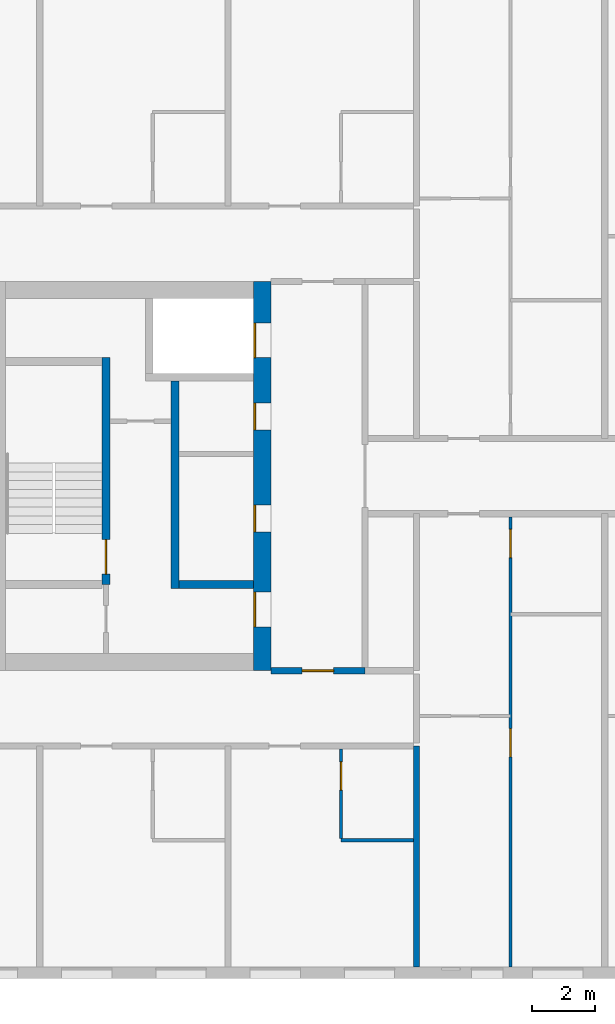
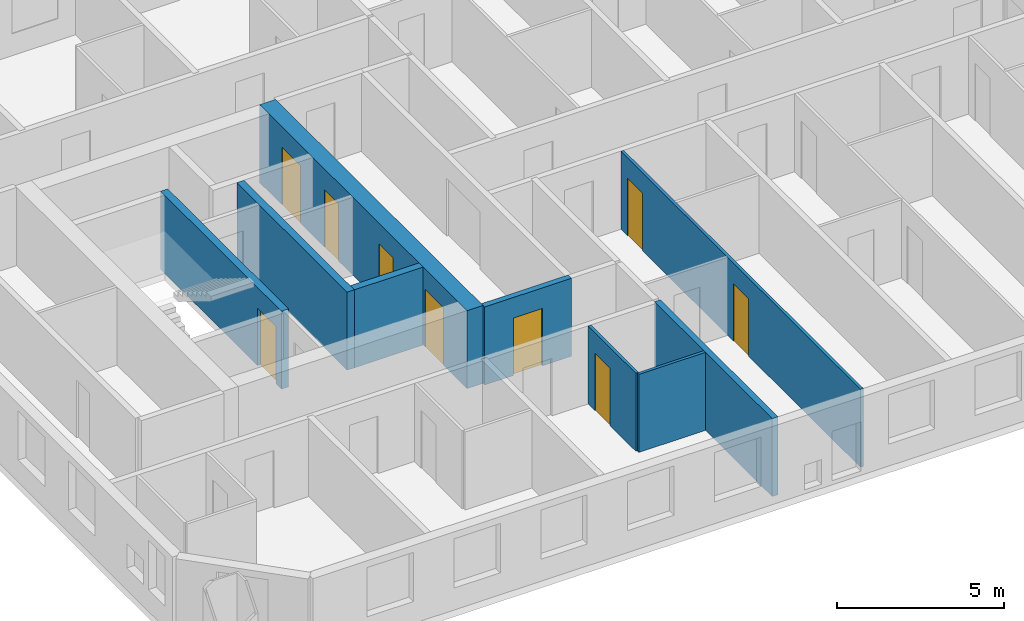
# One storey, part 3 of 16: 9 doors, 9 walls, 9 openings.
"""IFC4 building model written with IfcOpenShell, lengths in metres."""

from ifc_helpers import new_model, si_unit, direction, frame, frame_2d, origin, place, context, subcontext, project, spatial, rectangle, extrude, material, layer, layer_set, type_object, element, fill, save


model = new_model("IFC4")

# Units and contexts
model_context = context("Model", 3, precision=1e-05, world=origin(), true_north=direction((0.0, 1.0)))
body_context = subcontext(model_context, "Body", "Model", "MODEL_VIEW")
ifc_project = project(units=[si_unit("LENGTHUNIT", "METRE"), si_unit("AREAUNIT", "SQUARE_METRE"), si_unit("VOLUMEUNIT", "CUBIC_METRE"), si_unit("PLANEANGLEUNIT", "RADIAN"), si_unit("MASSUNIT", "GRAM", prefix="KILO")], contexts=[model_context])

# Site, building, storey
site_placement = place(None, origin())
site = spatial("IfcSite", under=ifc_project, at=site_placement, CompositionType="ELEMENT")
building_placement = place(site_placement, origin())
building = spatial("IfcBuilding", under=site, at=building_placement, Name="Tuart Gate Housing", CompositionType="ELEMENT")
storey_placement = place(building_placement, frame((0.0, 0.0, 136.10009765625)))
storey = spatial("IfcBuildingStorey", under=building, at=storey_placement, Name="L38", CompositionType="ELEMENT", Elevation=136.10009765625)

# Walls
ifc_material_1 = material(Name="Concrete C50", Category="concrete")
ifc_layer_1 = layer(ifc_material_1, 0.25)
ifc_layer_set_1 = layer_set([ifc_layer_1], Name="Core wall 250 C50")
wall_type_1 = type_object("IfcWallType", Name="Core wall 250 C50", PredefinedType="SHEAR", material=ifc_layer_set_1)
wall_1_placement = place(storey_placement, frame((40.81005859375, 66.550048828125, 0.0), z_axis=(0.0, 0.0, 1.0), x_axis=(-1.0, 0.0, 0.0)))
element("IfcWall", 1, at=wall_1_placement, inside=storey, type_object=wall_type_1, Name="Core wall AK.5", PredefinedType="SHEAR", context=body_context, shape_type="SweptSolid", body=[
    extrude(rectangle(XDim=2.375, YDim=0.25, at=frame_2d((1.1875, 0.0))), origin(), (0.0, 0.0, 1.0), 2.849853515625),
])
wall_2_placement = place(storey_placement, frame((38.31005859375, 73.02490234375, 0.0), z_axis=(0.0, 0.0, 1.0), x_axis=(0.0, -1.0, 0.0)))
element("IfcWall", 2, at=wall_2_placement, inside=storey, type_object=wall_type_1, Name="Core wall AK.7", PredefinedType="SHEAR", context=body_context, shape_type="SweptSolid", body=[
    extrude(rectangle(XDim=6.599853515625, YDim=0.25, at=frame_2d((3.2998046875, 0.0))), origin(), (0.0, 0.0, 1.0), 2.849853515625),
])

# Wall, opening, door
wall_3_placement = place(storey_placement, frame((36.110107421875, 73.77490234375, 0.0), z_axis=(0.0, 0.0, 1.0), x_axis=(0.0, -1.0, 0.0)))
wall_3 = element("IfcWall", 3, at=wall_3_placement, inside=storey, type_object=wall_type_1, Name="Core wall AK.9", PredefinedType="SHEAR", context=body_context, shape_type="SweptSolid", body=[
    extrude(rectangle(XDim=7.224853515625, YDim=0.25, at=frame_2d((3.6123046875, 0.0))), origin(), (0.0, 0.0, 1.0), 2.849853515625),
])
opening_1_placement = place(wall_3_placement, frame((5.800048828125, 0.0, 0.0)))
opening_1 = element("IfcOpeningElement", 4, at=opening_1_placement, cuts=wall_3, Name="Opening D1428", PredefinedType="OPENING", context=body_context, shape_type="SweptSolid", body=[
    extrude(rectangle(XDim=1.10009765625, YDim=2.10009765625, at=frame_2d((0.550048828125, 1.050048828125))), frame((0.0, 0.135009765625, 0.0), z_axis=(0.0, -1.0, 0.0), x_axis=(1.0, 0.0, 0.0)), (0.0, 0.0, 1.0), 0.27001953125),
])
ifc_material_2 = material(Name="Steel fire door", Category="steel")
door_type_1 = type_object("IfcDoorType", Name="Stair door 1100 x 2100", OperationType="SINGLE_SWING_LEFT", PredefinedType="DOOR", material=ifc_material_2)
door_1_placement = place(opening_1_placement, frame((1.10009765625, 0.0, 0.0), z_axis=(0.0, 0.0, 1.0), x_axis=(-1.0, 0.0, 0.0)))
door_1 = element("IfcDoor", 5, at=door_1_placement, inside=storey, type_object=door_type_1, Name="Stair door AK.SD", OperationType="SINGLE_SWING_LEFT", OverallHeight=2.10009765625, OverallWidth=1.10009765625, PredefinedType="DOOR", context=body_context, shape_type="SweptSolid", body=[
    extrude(rectangle(XDim=1.10009765625, YDim=2.10009765625, at=frame_2d((0.550048828125, 1.050048828125))), frame((0.0, 0.025146484375, 0.0), z_axis=(0.0, -1.0, 0.0), x_axis=(1.0, 0.0, 0.0)), (0.0, 0.0, 1.0), 0.050048828125),
])
fill(opening_1, door_1)

# Wall, openings, doors
ifc_material_3 = material(Name="Concrete C50", Category="concrete")
ifc_layer_2 = layer(ifc_material_3, 0.550048828125)
ifc_layer_set_2 = layer_set([ifc_layer_2], Name="Core wall 550 C50")
wall_type_2 = type_object("IfcWallType", Name="Core wall 550 C50", PredefinedType="SHEAR", material=ifc_layer_set_2)
wall_4_placement = place(storey_placement, frame((41.0849609375, 76.199951171875, 0.0), z_axis=(0.0, 0.0, 1.0), x_axis=(0.0, -1.0, 0.0)))
wall_4 = element("IfcWall", 6, at=wall_4_placement, inside=storey, type_object=wall_type_2, Name="Core wall AK front", PredefinedType="SHEAR", context=body_context, shape_type="SweptSolid", body=[
    extrude(rectangle(XDim=12.39990234375, YDim=0.550048828125, at=frame_2d((6.199951171875, 0.0))), origin(), (0.0, 0.0, 1.0), 2.849853515625),
])
opening_2_placement = place(wall_4_placement, frame((1.324951171875, 0.0, 0.0)))
opening_2 = element("IfcOpeningElement", 7, at=opening_2_placement, cuts=wall_4, Name="Opening LD-FA2", PredefinedType="OPENING", context=body_context, shape_type="SweptSolid", body=[
    extrude(rectangle(XDim=1.10009765625, YDim=2.10009765625, at=frame_2d((0.550048828125, 1.050048828125))), frame((0.0, 0.284912109375, 0.0), z_axis=(0.0, -1.0, 0.0), x_axis=(1.0, 0.0, 0.0)), (0.0, 0.0, 1.0), 0.570068359375),
])
opening_3_placement = place(wall_4_placement, frame((3.875, 0.0, 0.0)))
opening_3 = element("IfcOpeningElement", 8, at=opening_3_placement, cuts=wall_4, Name="Opening D1432", PredefinedType="OPENING", context=body_context, shape_type="SweptSolid", body=[
    extrude(rectangle(XDim=0.85009765625, YDim=2.10009765625, at=frame_2d((0.425048828125, 1.050048828125))), frame((0.0, 0.284912109375, 0.0), z_axis=(0.0, -1.0, 0.0), x_axis=(1.0, 0.0, 0.0)), (0.0, 0.0, 1.0), 0.570068359375),
])
opening_4_placement = place(wall_4_placement, frame((7.125, 0.0, 0.0)))
opening_4 = element("IfcOpeningElement", 9, at=opening_4_placement, cuts=wall_4, Name="Opening D1433", PredefinedType="OPENING", context=body_context, shape_type="SweptSolid", body=[
    extrude(rectangle(XDim=0.85009765625, YDim=2.10009765625, at=frame_2d((0.425048828125, 1.050048828125))), frame((0.0, 0.284912109375, 0.0), z_axis=(0.0, -1.0, 0.0), x_axis=(1.0, 0.0, 0.0)), (0.0, 0.0, 1.0), 0.570068359375),
])
opening_5_placement = place(wall_4_placement, frame((9.89990234375, 0.0, 0.0)))
opening_5 = element("IfcOpeningElement", 10, at=opening_5_placement, cuts=wall_4, Name="Opening D1431", PredefinedType="OPENING", context=body_context, shape_type="SweptSolid", body=[
    extrude(rectangle(XDim=1.10009765625, YDim=2.10009765625, at=frame_2d((0.550048828125, 1.050048828125))), frame((0.0, 0.284912109375, 0.0), z_axis=(0.0, -1.0, 0.0), x_axis=(1.0, 0.0, 0.0)), (0.0, 0.0, 1.0), 0.570068359375),
])
ifc_material_4 = material(Name="Stainless steel", Category="steel")
door_type_2 = type_object("IfcDoorType", Name="Landing door 1100 x 2100", OperationType="DOUBLE_DOOR_SLIDING", PredefinedType="DOOR", material=ifc_material_4)
door_2_placement = place(opening_2_placement, origin())
door_2 = element("IfcDoor", 11, at=door_2_placement, inside=storey, type_object=door_type_2, Name="Lift landing door FA2", OperationType="DOUBLE_DOOR_SLIDING", OverallHeight=2.10009765625, OverallWidth=1.10009765625, PredefinedType="DOOR", context=body_context, shape_type="SweptSolid", body=[
    extrude(rectangle(XDim=1.10009765625, YDim=2.10009765625, at=frame_2d((0.550048828125, 1.050048828125))), frame((0.0, -0.2099609375, 0.0), z_axis=(0.0, -1.0, 0.0), x_axis=(1.0, 0.0, 0.0)), (0.0, 0.0, 1.0), 0.050048828125),
])
fill(opening_2, door_2)
ifc_material_5 = material(Name="Steel fire door", Category="steel")
door_type_3 = type_object("IfcDoorType", Name="Lobby door 1100 x 2100 RH", OperationType="SINGLE_SWING_RIGHT", PredefinedType="DOOR", material=ifc_material_5)
door_3_placement = place(opening_5_placement, frame((1.10009765625, 0.0, 0.0), z_axis=(0.0, 0.0, 1.0), x_axis=(-1.0, 0.0, 0.0)))
door_3 = element("IfcDoor", 12, at=door_3_placement, inside=storey, type_object=door_type_3, Name="Lobby entry door AK.EN", OperationType="SINGLE_SWING_RIGHT", OverallHeight=2.10009765625, OverallWidth=1.10009765625, PredefinedType="DOOR", context=body_context, shape_type="SweptSolid", body=[
    extrude(rectangle(XDim=1.10009765625, YDim=2.10009765625, at=frame_2d((0.550048828125, 1.050048828125))), frame((0.0, 0.260009765625, 0.0), z_axis=(0.0, -1.0, 0.0), x_axis=(1.0, 0.0, 0.0)), (0.0, 0.0, 1.0), 0.050048828125),
])
fill(opening_5, door_3)
ifc_material_6 = material(Name="Steel fire door", Category="steel")
door_type_4 = type_object("IfcDoorType", Name="Service door 850 x 2100 RH", OperationType="SINGLE_SWING_RIGHT", PredefinedType="DOOR", material=ifc_material_6)
door_4_placement = place(opening_3_placement, frame((0.85009765625, 0.0, 0.0), z_axis=(0.0, 0.0, 1.0), x_axis=(-1.0, 0.0, 0.0)))
door_4 = element("IfcDoor", 13, at=door_4_placement, inside=storey, type_object=door_type_4, Name="Service room door AK.FR1", OperationType="SINGLE_SWING_RIGHT", OverallHeight=2.10009765625, OverallWidth=0.85009765625, PredefinedType="DOOR", context=body_context, shape_type="SweptSolid", body=[
    extrude(rectangle(XDim=0.85009765625, YDim=2.10009765625, at=frame_2d((0.425048828125, 1.050048828125))), frame((0.0, 0.260009765625, 0.0), z_axis=(0.0, -1.0, 0.0), x_axis=(1.0, 0.0, 0.0)), (0.0, 0.0, 1.0), 0.050048828125),
])
fill(opening_3, door_4)
door_5_placement = place(opening_4_placement, frame((0.85009765625, 0.0, 0.0), z_axis=(0.0, 0.0, 1.0), x_axis=(-1.0, 0.0, 0.0)))
door_5 = element("IfcDoor", 14, at=door_5_placement, inside=storey, type_object=door_type_4, Name="Service room door AK.FR2", OperationType="SINGLE_SWING_RIGHT", OverallHeight=2.10009765625, OverallWidth=0.85009765625, PredefinedType="DOOR", context=body_context, shape_type="SweptSolid", body=[
    extrude(rectangle(XDim=0.85009765625, YDim=2.10009765625, at=frame_2d((0.425048828125, 1.050048828125))), frame((0.0, 0.260009765625, 0.0), z_axis=(0.0, -1.0, 0.0), x_axis=(1.0, 0.0, 0.0)), (0.0, 0.0, 1.0), 0.050048828125),
])
fill(opening_4, door_5)

# Wall, opening, door
ifc_material_7 = material(Name="Concrete masonry 15 MPa", Category="masonry")
ifc_layer_3 = layer(ifc_material_7, 0.199951171875)
ifc_layer_set_3 = layer_set([ifc_layer_3], Name="Enclosure wall masonry 200")
wall_type_3 = type_object("IfcWallType", Name="Enclosure wall masonry 200", PredefinedType="PARTITIONING", material=ifc_layer_set_3)
wall_5_placement = place(storey_placement, frame((41.360107421875, 63.800048828125, 0.0), z_axis=(0.0, 0.0, 1.0), x_axis=(1.0, 0.0, 0.0)))
wall_5 = element("IfcWall", 15, at=wall_5_placement, inside=storey, type_object=wall_type_3, Name="Enclosure wall masonry 200", PredefinedType="PARTITIONING", context=body_context, shape_type="SweptSolid", body=[
    extrude(rectangle(XDim=3.0, YDim=0.199951171875, at=frame_2d((1.5, 0.0))), origin(), (0.0, 0.0, 1.0), 2.849853515625),
])
opening_6_placement = place(wall_5_placement, frame((1.0, 0.0, 0.0)))
opening_6 = element("IfcOpeningElement", 16, at=opening_6_placement, cuts=wall_5, Name="Opening D1443", PredefinedType="OPENING", context=body_context, shape_type="SweptSolid", body=[
    extrude(rectangle(XDim=1.0, YDim=2.10009765625, at=frame_2d((0.5, 1.050048828125))), frame((0.0, 0.10986328125, 0.0), z_axis=(0.0, -1.0, 0.0), x_axis=(1.0, 0.0, 0.0)), (0.0, 0.0, 1.0), 0.219970703125),
])
ifc_material_8 = material(Name="Timber door leaf in steel frame", Category="steel")
door_type_5 = type_object("IfcDoorType", Name="Fire door 1000", OperationType="SINGLE_SWING_LEFT", PredefinedType="DOOR", material=ifc_material_8)
door_6_placement = place(opening_6_placement, frame((1.0, 0.0, 0.0), z_axis=(0.0, 0.0, 1.0), x_axis=(-1.0, 0.0, 0.0)))
door_6 = element("IfcDoor", 17, at=door_6_placement, inside=storey, type_object=door_type_5, Name="Fire door", OperationType="SINGLE_SWING_LEFT", OverallHeight=2.10009765625, OverallWidth=1.0, PredefinedType="DOOR", context=body_context, shape_type="SweptSolid", body=[
    extrude(rectangle(XDim=1.0, YDim=2.10009765625, at=frame_2d((0.5, 1.050048828125))), frame((0.0, 0.025146484375, 0.0), z_axis=(0.0, -1.0, 0.0), x_axis=(1.0, 0.0, 0.0)), (0.0, 0.0, 1.0), 0.050048828125),
])
fill(opening_6, door_6)

# Wall
ifc_material_9 = material(Name="Gypsum board on steel studs", Category="steel")
ifc_layer_4 = layer(ifc_material_9, 0.10009765625)
ifc_layer_set_4 = layer_set([ifc_layer_4], Name="Partition 100")
wall_type_4 = type_object("IfcWallType", Name="Partition 100", PredefinedType="PARTITIONING", material=ifc_layer_set_4)
wall_6_placement = place(storey_placement, frame((43.60009765625, 58.39990234375, 0.0), z_axis=(0.0, 0.0, 1.0), x_axis=(1.0, 0.0, 0.0)))
element("IfcWall", 18, at=wall_6_placement, inside=storey, type_object=wall_type_4, Name="Partition 100", PredefinedType="PARTITIONING", context=body_context, shape_type="SweptSolid", body=[
    extrude(rectangle(XDim=2.2998046875, YDim=0.10009765625, at=frame_2d((1.14990234375, 0.0))), origin(), (0.0, 0.0, 1.0), 2.849853515625),
])

# Wall, opening, door
wall_7_placement = place(storey_placement, frame((43.60009765625, 58.449951171875, 0.0), z_axis=(0.0, 0.0, 1.0), x_axis=(0.0, 1.0, 0.0)))
wall_7 = element("IfcWall", 19, at=wall_7_placement, inside=storey, type_object=wall_type_4, Name="Partition 100", PredefinedType="PARTITIONING", context=body_context, shape_type="SweptSolid", body=[
    extrude(rectangle(XDim=2.85009765625, YDim=0.10009765625, at=frame_2d((1.425048828125, 0.0))), origin(), (0.0, 0.0, 1.0), 2.849853515625),
])
opening_7_placement = place(wall_7_placement, frame((1.550048828125, 0.0, 0.0)))
opening_7 = element("IfcOpeningElement", 20, at=opening_7_placement, cuts=wall_7, Name="Opening D1460", PredefinedType="OPENING", context=body_context, shape_type="SweptSolid", body=[
    extrude(rectangle(XDim=0.89990234375, YDim=2.10009765625, at=frame_2d((0.449951171875, 1.050048828125))), frame((0.0, 0.06005859375, 0.0), z_axis=(0.0, -1.0, 0.0), x_axis=(1.0, 0.0, 0.0)), (0.0, 0.0, 1.0), 0.1201171875),
])
ifc_material_10 = material(Name="Timber door leaf in steel frame", Category="steel")
door_type_6 = type_object("IfcDoorType", Name="Bathroom door 900", OperationType="SINGLE_SWING_LEFT", PredefinedType="DOOR", material=ifc_material_10)
door_7_placement = place(opening_7_placement, frame((0.89990234375, 0.0, 0.0), z_axis=(0.0, 0.0, 1.0), x_axis=(-1.0, 0.0, 0.0)))
door_7 = element("IfcDoor", 21, at=door_7_placement, inside=storey, type_object=door_type_6, Name="Bathroom door", OperationType="SINGLE_SWING_LEFT", OverallHeight=2.10009765625, OverallWidth=0.89990234375, PredefinedType="DOOR", context=body_context, shape_type="SweptSolid", body=[
    extrude(rectangle(XDim=0.89990234375, YDim=2.10009765625, at=frame_2d((0.449951171875, 1.050048828125))), frame((0.0, 0.025146484375, 0.0), z_axis=(0.0, -1.0, 0.0), x_axis=(1.0, 0.0, 0.0)), (0.0, 0.0, 1.0), 0.050048828125),
])
fill(opening_7, door_7)

# Wall, openings, doors
wall_8_placement = place(storey_placement, frame((49.0, 54.360107421875, 0.0), z_axis=(0.0, 0.0, 1.0), x_axis=(0.0, 1.0, 0.0)))
wall_8 = element("IfcWall", 22, at=wall_8_placement, inside=storey, type_object=wall_type_4, Name="Partition 100", PredefinedType="PARTITIONING", context=body_context, shape_type="SweptSolid", body=[
    extrude(rectangle(XDim=14.33984375, YDim=0.10009765625, at=frame_2d((7.169921875, 0.0))), origin(), (0.0, 0.0, 1.0), 2.849853515625),
])
opening_8_placement = place(wall_8_placement, frame((6.699951171875, 0.0, 0.0)))
opening_8 = element("IfcOpeningElement", 23, at=opening_8_placement, cuts=wall_8, Name="Opening D1448", PredefinedType="OPENING", context=body_context, shape_type="SweptSolid", body=[
    extrude(rectangle(XDim=0.89990234375, YDim=2.10009765625, at=frame_2d((0.449951171875, 1.050048828125))), frame((0.0, 0.06005859375, 0.0), z_axis=(0.0, -1.0, 0.0), x_axis=(1.0, 0.0, 0.0)), (0.0, 0.0, 1.0), 0.1201171875),
])
opening_9_placement = place(wall_8_placement, frame((13.0400390625, 0.0, 0.0)))
opening_9 = element("IfcOpeningElement", 24, at=opening_9_placement, cuts=wall_8, Name="Opening D1447", PredefinedType="OPENING", context=body_context, shape_type="SweptSolid", body=[
    extrude(rectangle(XDim=0.89990234375, YDim=2.10009765625, at=frame_2d((0.449951171875, 1.050048828125))), frame((0.0, 0.06005859375, 0.0), z_axis=(0.0, -1.0, 0.0), x_axis=(1.0, 0.0, 0.0)), (0.0, 0.0, 1.0), 0.1201171875),
])
door_8_placement = place(opening_9_placement, frame((0.89990234375, 0.0, 0.0), z_axis=(0.0, 0.0, 1.0), x_axis=(-1.0, 0.0, 0.0)))
door_8 = element("IfcDoor", 25, at=door_8_placement, inside=storey, type_object=door_type_6, Name="Bathroom door", OperationType="SINGLE_SWING_LEFT", OverallHeight=2.10009765625, OverallWidth=0.89990234375, PredefinedType="DOOR", context=body_context, shape_type="SweptSolid", body=[
    extrude(rectangle(XDim=0.89990234375, YDim=2.10009765625, at=frame_2d((0.449951171875, 1.050048828125))), frame((0.0, 0.025146484375, 0.0), z_axis=(0.0, -1.0, 0.0), x_axis=(1.0, 0.0, 0.0)), (0.0, 0.0, 1.0), 0.050048828125),
])
fill(opening_9, door_8)
ifc_material_11 = material(Name="Timber door leaf in steel frame", Category="steel")
door_type_7 = type_object("IfcDoorType", Name="Internal door 900", OperationType="SINGLE_SWING_LEFT", PredefinedType="DOOR", material=ifc_material_11)
door_9_placement = place(opening_8_placement, frame((0.89990234375, 0.0, 0.0), z_axis=(0.0, 0.0, 1.0), x_axis=(-1.0, 0.0, 0.0)))
door_9 = element("IfcDoor", 26, at=door_9_placement, inside=storey, type_object=door_type_7, Name="Internal door", OperationType="SINGLE_SWING_LEFT", OverallHeight=2.10009765625, OverallWidth=0.89990234375, PredefinedType="DOOR", context=body_context, shape_type="SweptSolid", body=[
    extrude(rectangle(XDim=0.89990234375, YDim=2.10009765625, at=frame_2d((0.449951171875, 1.050048828125))), frame((0.0, 0.025146484375, 0.0), z_axis=(0.0, -1.0, 0.0), x_axis=(1.0, 0.0, 0.0)), (0.0, 0.0, 1.0), 0.050048828125),
])
fill(opening_8, door_9)

# Wall
ifc_material_12 = material(Name="Concrete C40", Category="concrete")
ifc_layer_5 = layer(ifc_material_12, 0.199951171875)
ifc_layer_set_5 = layer_set([ifc_layer_5], Name="Party wall concrete C40 200")
wall_type_5 = type_object("IfcWallType", Name="Party wall concrete C40 200", PredefinedType="SOLIDWALL", material=ifc_layer_set_5)
wall_9_placement = place(storey_placement, frame((46.0, 54.360107421875, 0.0), z_axis=(0.0, 0.0, 1.0), x_axis=(0.0, 1.0, 0.0)))
element("IfcWall", 27, at=wall_9_placement, inside=storey, type_object=wall_type_5, Name="Party wall concrete C40 200", PredefinedType="SOLIDWALL", context=body_context, shape_type="SweptSolid", body=[
    extrude(rectangle(XDim=7.039794921875, YDim=0.199951171875, at=frame_2d((3.52001953125, 0.0))), origin(), (0.0, 0.0, 1.0), 2.849853515625),
])

save(model, "model.ifc")
